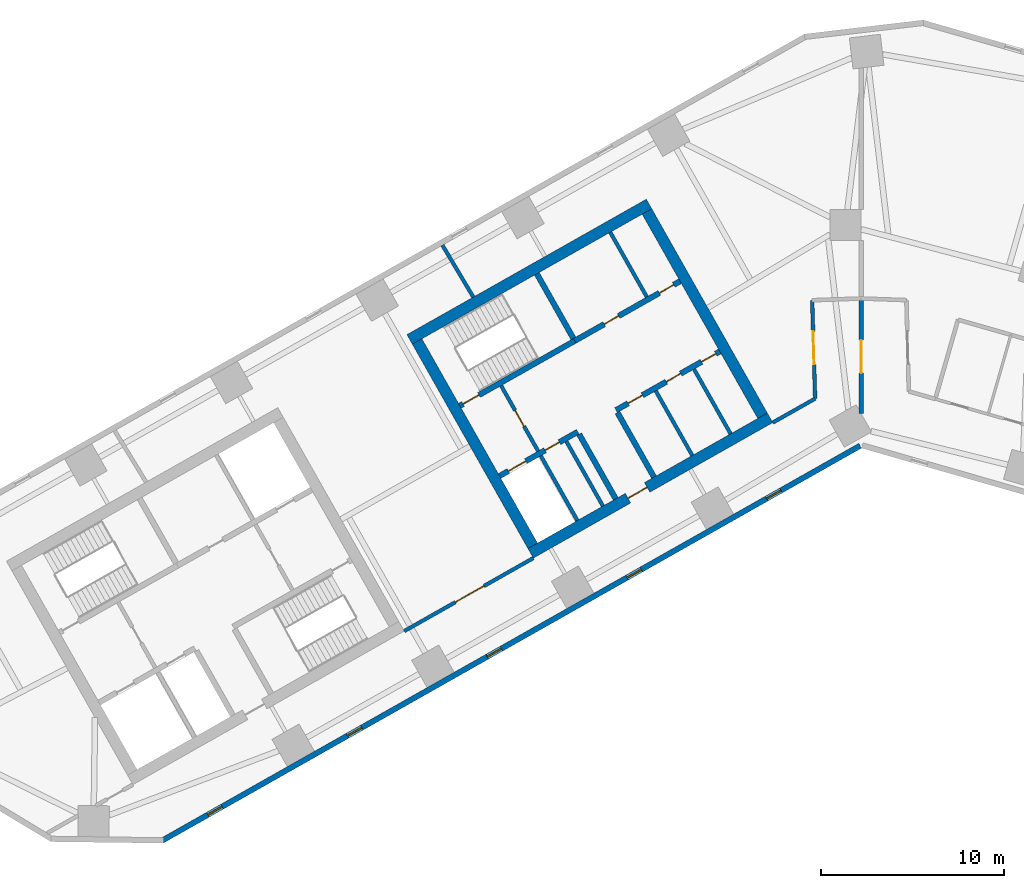
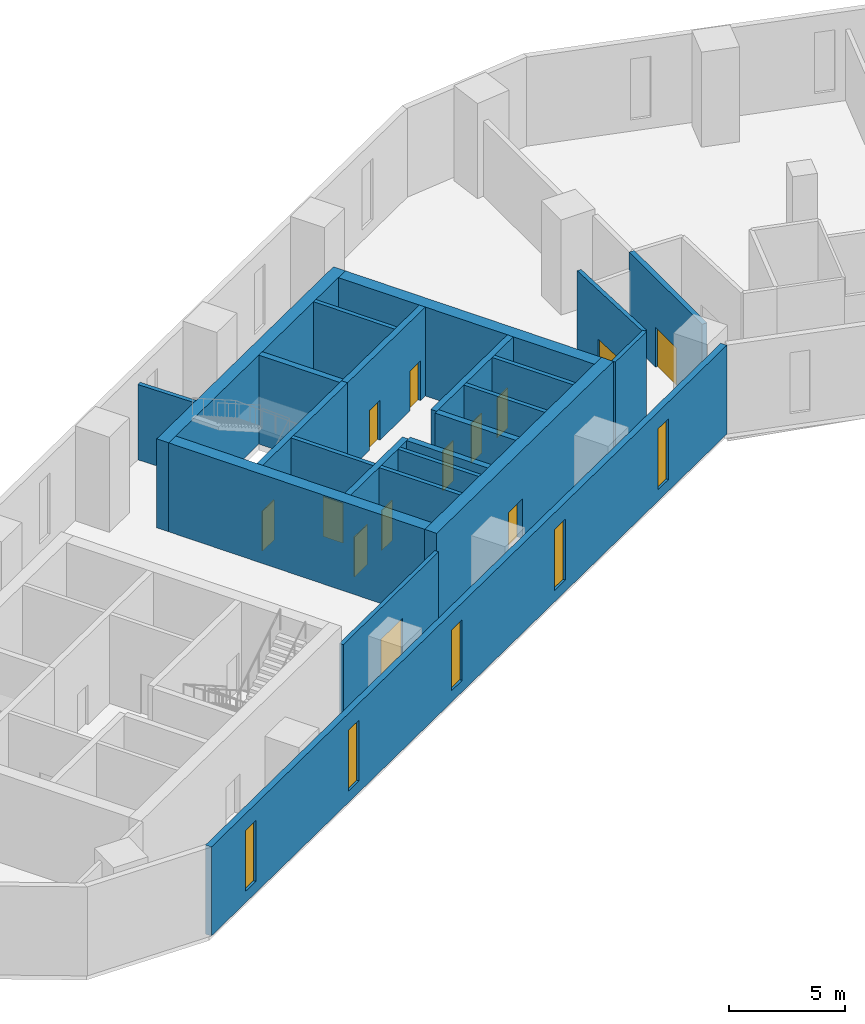
# One storey, part 4 of 10: 23 walls, 13 doors, 5 windows, 18 openings.
"""IFC4 building model written with IfcOpenShell, lengths in metres."""

import ifcopenshell
import ifcopenshell.guid

model = None  # the IFC model being written
_history = None  # IfcOwnerHistory: only IFC2X3 demands one
_inside = {}  # id of a spatial element -> (the spatial element, [elements in it])
_under = {}  # id of a project, library or spatial element -> (it, [spatial elements below it])
_declared = {}  # id of a project -> (the project, [libraries it declares])
_typed = {}  # id of a type object -> (the type object, [elements of that type])
_made_of = {}  # id of a material, layer set ... -> (it, [elements and type objects made of it])


def new_model(schema):
    """Start an empty IFC model of exactly this schema.

    Asked for "IFC4X3", IfcOpenShell would pick the latest addendum, in which some entities
    have other attributes; the version numbers below select the first issue.
    IFC2X3 requires an IfcOwnerHistory on every rooted entity: one is made here for all.
    """
    global model, _history
    if schema == "IFC4X3":
        model = ifcopenshell.file(schema_version=(4, 3, 0, 0))
    else:
        model = ifcopenshell.file(schema=schema)
    _inside.clear()
    _under.clear()
    _declared.clear()
    _typed.clear()
    _made_of.clear()
    _history = None
    if model.schema == "IFC2X3":
        org = make("IfcOrganization", Name="unknown")
        user = make(
            "IfcPersonAndOrganization",
            ThePerson=make("IfcPerson", FamilyName="unknown"),
            TheOrganization=org,
        )
        app = make(
            "IfcApplication",
            ApplicationDeveloper=org,
            Version="unknown",
            ApplicationFullName="unknown",
            ApplicationIdentifier="unknown",
        )
        _history = make(
            "IfcOwnerHistory",
            OwningUser=user,
            OwningApplication=app,
            ChangeAction="ADDED",
            CreationDate=0,
        )
    return model


def make(cls, **values):
    """One entity of the class cls with the attributes given. An attribute that is None is left unset."""
    return model.create_entity(
        cls, **{name: value for name, value in values.items() if value is not None}
    )


def rooted(cls, **values):
    """An entity with a GlobalId (a new one), such as an element, a storey or a relation."""
    return make(cls, GlobalId=ifcopenshell.guid.new(), OwnerHistory=_history, **values)


def si_unit(unit_type, name, prefix=None):
    """IfcSIUnit, for example si_unit("LENGTHUNIT", "METRE", prefix="MILLI")."""
    return make("IfcSIUnit", UnitType=unit_type, Prefix=prefix, Name=name)


def assignment(units):
    """IfcUnitAssignment: the units of a project."""
    return None if units is None else make("IfcUnitAssignment", Units=units)


def point(xyz):
    """IfcCartesianPoint."""
    return None if xyz is None else make("IfcCartesianPoint", Coordinates=xyz)


def direction(xyz):
    """IfcDirection."""
    return None if xyz is None else make("IfcDirection", DirectionRatios=xyz)


def frame(location, z_axis=None, x_axis=None):
    """IfcAxis2Placement3D, a coordinate frame: its origin and axes. An axis left out is left unset."""
    return make(
        "IfcAxis2Placement3D",
        Location=point(location),
        Axis=direction(z_axis),
        RefDirection=direction(x_axis),
    )


def frame_2d(location, x_axis=None):
    """IfcAxis2Placement2D, a coordinate frame in the plane: its origin and x axis."""
    return make(
        "IfcAxis2Placement2D", Location=point(location), RefDirection=direction(x_axis)
    )


def origin():
    """The frame at (0, 0, 0) with its axes left unset."""
    return frame((0.0, 0.0, 0.0))


def place(relative_to, where):
    """IfcLocalPlacement: puts the frame where relative to a parent placement (None: the world)."""
    return make(
        "IfcLocalPlacement", PlacementRelTo=relative_to, RelativePlacement=where
    )


def context(
    kind, dimensions, precision=None, world=None, true_north=None, identifier=None
):
    """IfcGeometricRepresentationContext, for example the 3D "Model" context."""
    return make(
        "IfcGeometricRepresentationContext",
        ContextIdentifier=identifier,
        ContextType=kind,
        CoordinateSpaceDimension=dimensions,
        Precision=precision,
        WorldCoordinateSystem=world,
        TrueNorth=true_north,
    )


def subcontext(parent, identifier, kind, view, scale=None):
    """IfcGeometricRepresentationSubContext, for example "Body" below "Model"."""
    return make(
        "IfcGeometricRepresentationSubContext",
        ContextIdentifier=identifier,
        ContextType=kind,
        ParentContext=parent,
        TargetScale=scale,
        TargetView=view,
    )


def project(units=None, contexts=None):
    """IfcProject with its units and contexts."""
    return rooted(
        "IfcProject",
        Name="project",
        RepresentationContexts=contexts,
        UnitsInContext=assignment(units),
    )


def spatial(cls, under=None, at=None, **own):
    """A site, building, storey or space (cls), placed at a placement, below another one or the project."""
    s = rooted(cls, ObjectPlacement=at, **own)
    if under is not None:
        _under.setdefault(under.id(), (under, []))[1].append(s)
    return s


def profile(cls, at=None, kind="AREA", **sizes):
    """A parametric profile (cls). Its sizes go by their IFC names, for example OverallWidth=200.0."""
    return make(cls, ProfileType=kind, Position=at, **sizes)


def rectangle(**sizes):
    """IfcRectangleProfileDef."""
    return profile("IfcRectangleProfileDef", **sizes)


def extrude(swept, where, along, depth):
    """IfcExtrudedAreaSolid: the profile swept, set in the frame where, extruded along a direction by depth."""
    return make(
        "IfcExtrudedAreaSolid",
        SweptArea=swept,
        Position=where,
        ExtrudedDirection=direction(along),
        Depth=depth,
    )


def shape(context_of_items, identifier, shape_type, items):
    """IfcShapeRepresentation: the items that make up one representation, for example the "Body"."""
    return make(
        "IfcShapeRepresentation",
        ContextOfItems=context_of_items,
        RepresentationIdentifier=identifier,
        RepresentationType=shape_type,
        Items=items,
    )


def material(Name=None, Category=None):
    """IfcMaterial."""
    return make("IfcMaterial", Name=Name, Category=Category)


def layer(
    of_material, thickness, ventilated=None, Name=None, Category=None, Priority=None
):
    """IfcMaterialLayer: one layer of a wall or slab, of a material (None: an air gap)."""
    return make(
        "IfcMaterialLayer",
        Material=of_material,
        LayerThickness=thickness,
        IsVentilated=ventilated,
        Name=Name,
        Category=Category,
        Priority=Priority,
    )


def layer_set(layers, Name=None):
    """IfcMaterialLayerSet."""
    return make("IfcMaterialLayerSet", MaterialLayers=layers, LayerSetName=Name)


def made_of(thing, what):
    """Note that an element or type object is made of a material, layer set ...; save() writes the relation."""
    if what is not None:
        _made_of.setdefault(what.id(), (what, []))[1].append(thing)
    return thing


def type_object(cls, material=None, **own):
    """A type object (cls), such as IfcWallType, which elements share."""
    return made_of(rooted(cls, **own), material)


def element(
    cls,
    number,
    at=None,
    inside=None,
    cuts=None,
    type_object=None,
    material=None,
    context=None,
    identifier="Body",
    shape_type=None,
    held_by="IfcProductDefinitionShape",
    body=None,
    shapes=None,
    **own,
):
    """One element of the class cls, such as IfcWall. Its Tag is "e" and its number.

    at: its placement. inside: the storey or other place that contains it. cuts: it is an
    opening in that element (IfcRelVoidsElement). A single representation is given by context,
    identifier, shape_type and body (its items); several are given by shapes. held_by: the class
    of the entity that holds the representations. save() writes the other relations.
    """
    e = rooted(cls, Tag="e%d" % number, ObjectPlacement=at, **own)
    if body is not None:
        shapes = [shape(context, identifier, shape_type, body)]
    if shapes is not None:
        e.Representation = make(held_by, Representations=shapes)
    if inside is not None:
        _inside.setdefault(inside.id(), (inside, []))[1].append(e)
    if cuts is not None:
        rooted(
            "IfcRelVoidsElement", RelatingBuildingElement=cuts, RelatedOpeningElement=e
        )
    if type_object is not None:
        _typed.setdefault(type_object.id(), (type_object, []))[1].append(e)
    return made_of(e, material)


def fill(opening, filler):
    """IfcRelFillsElement: the door or window that sits in an opening."""
    return rooted(
        "IfcRelFillsElement",
        RelatingOpeningElement=opening,
        RelatedBuildingElement=filler,
    )


def aggregate(whole, parts):
    """IfcRelAggregates: a whole, such as a stair, and the parts it consists of."""
    return rooted("IfcRelAggregates", RelatingObject=whole, RelatedObjects=parts)


def save(model, path):
    """Write the relations noted so far, then the file.

    IfcRelAggregates (storeys below a building ...), IfcRelContainedInSpatialStructure (elements
    in a storey), IfcRelDefinesByType, IfcRelAssociatesMaterial and IfcRelDeclares: one each for
    every whole, place, type object, material and project.
    """
    for whole, parts in _under.values():
        aggregate(whole, parts)
    for where, things in _inside.values():
        rooted(
            "IfcRelContainedInSpatialStructure",
            RelatedElements=things,
            RelatingStructure=where,
        )
    for kind, things in _typed.values():
        rooted("IfcRelDefinesByType", RelatedObjects=things, RelatingType=kind)
    for what, things in _made_of.values():
        rooted("IfcRelAssociatesMaterial", RelatedObjects=things, RelatingMaterial=what)
    for by, libraries in _declared.values():
        rooted("IfcRelDeclares", RelatingContext=by, RelatedDefinitions=libraries)
    model.write(path)


model = new_model("IFC4")

# Units and contexts
model_context = context("Model", 3, precision=1e-05, world=origin(), true_north=direction((0.0, 1.0)))
body_context = subcontext(model_context, "Body", "Model", "MODEL_VIEW")
ifc_project = project(units=[si_unit("LENGTHUNIT", "METRE"), si_unit("AREAUNIT", "SQUARE_METRE"), si_unit("VOLUMEUNIT", "CUBIC_METRE"), si_unit("PLANEANGLEUNIT", "RADIAN"), si_unit("MASSUNIT", "GRAM", prefix="KILO")], contexts=[model_context])

# Site, building, storey
site_placement = place(None, origin())
site = spatial("IfcSite", under=ifc_project, at=site_placement, CompositionType="ELEMENT")
building_placement = place(site_placement, origin())
building = spatial("IfcBuilding", under=site, at=building_placement, Name="Binnacle Exchange Tower", CompositionType="ELEMENT")
storey_placement = place(building_placement, frame((0.0, 0.0, 31.5)))
storey = spatial("IfcBuildingStorey", under=building, at=storey_placement, Name="L06", CompositionType="ELEMENT", Elevation=31.5)

# Walls
ifc_material_1 = material(Name="Gypsum partition fire rated")
ifc_layer_1 = layer(ifc_material_1, 0.199951171875)
ifc_layer_set_1 = layer_set([ifc_layer_1], Name="Core partition 200")
wall_type_1 = type_object("IfcWallType", Name="Core partition 200", PredefinedType="PARTITIONING", material=ifc_layer_set_1)
for number, where, z_axis, x_axis, name in (
    (1, (-11.201904296875, 50.96240234375, 0.0), (0.0, 0.0, 1.0), (0.49241474071, -0.870360685654, 0.0), "Core wall CRWC19"),
    (2, (-13.682861328125, 59.612060546875, 0.0), (0.0, 0.0, 1.0), (0.49241474071, -0.870360685654, 0.0), "Core wall CRWC20"),
):
    element("IfcWall", number, at=place(storey_placement, frame(where, z_axis=z_axis, x_axis=x_axis)), inside=storey, type_object=wall_type_1, Name=name, PredefinedType="PARTITIONING", context=body_context, shape_type="SweptSolid", body=[
        extrude(rectangle(XDim=4.05029296875, YDim=0.199951171875, at=frame_2d((2.025146484375, 0.0))), origin(), (0.0, 0.0, 1.0), 4.679931640625),
    ])
wall_1_placement = place(storey_placement, frame((-9.11279296875, 52.14404296875, 0.0), z_axis=(0.0, 0.0, 1.0), x_axis=(0.492394910396, -0.870371904542, 0.0)))
element("IfcWall", 3, at=wall_1_placement, inside=storey, type_object=wall_type_1, Name="Core wall CRWC22", PredefinedType="PARTITIONING", context=body_context, shape_type="SweptSolid", body=[
    extrude(rectangle(XDim=4.0498046875, YDim=0.199951171875, at=frame_2d((2.02490234375, 0.0))), origin(), (0.0, 0.0, 1.0), 4.679931640625),
])

# Wall, openings, doors
ifc_material_2 = material(Name="Concrete C70/85", Category="concrete")
ifc_layer_2 = layer(ifc_material_2, 0.300048828125)
ifc_layer_set_2 = layer_set([ifc_layer_2], Name="Core wall - front 300")
wall_type_2 = type_object("IfcWallType", Name="Core wall - front 300", PredefinedType="SOLIDWALL", material=ifc_layer_set_2)
wall_2_placement = place(storey_placement, frame((-19.718017578125, 46.31640625, 0.0), z_axis=(0.0, 0.0, 1.0), x_axis=(0.870353963862, 0.492426621528, 0.0)))
wall_2 = element("IfcWall", 4, at=wall_2_placement, inside=storey, type_object=wall_type_2, Name="Core wall CRWC2", PredefinedType="SOLIDWALL", context=body_context, shape_type="SweptSolid", body=[
    extrude(rectangle(XDim=4.89990234375, YDim=0.300048828125, at=frame_2d((2.449951171875, 0.0))), origin(), (0.0, 0.0, 1.0), 4.679931640625),
])
opening_1_placement = place(wall_2_placement, frame((0.550048828125, 0.0, 0.0)))
opening_1 = element("IfcOpeningElement", 5, at=opening_1_placement, cuts=wall_2, Name="Opening LD14", PredefinedType="OPENING", context=body_context, shape_type="SweptSolid", body=[
    extrude(rectangle(XDim=1.10009765625, YDim=2.10009765625, at=frame_2d((0.550048828125, 1.050048828125))), frame((0.0, 0.159912109375, 0.0), z_axis=(0.0, -1.0, 0.0), x_axis=(1.0, 0.0, 0.0)), (0.0, 0.0, 1.0), 0.320068359375),
])
opening_2_placement = place(wall_2_placement, frame((2.85009765625, 0.0, 0.0)))
opening_2 = element("IfcOpeningElement", 6, at=opening_2_placement, cuts=wall_2, Name="Opening DC14", PredefinedType="OPENING", context=body_context, shape_type="SweptSolid", body=[
    extrude(rectangle(XDim=0.89990234375, YDim=2.10009765625, at=frame_2d((0.449951171875, 1.050048828125))), frame((0.0, 0.159912109375, 0.0), z_axis=(0.0, -1.0, 0.0), x_axis=(1.0, 0.0, 0.0)), (0.0, 0.0, 1.0), 0.320068359375),
])
ifc_material_3 = material(Name="Steel door leaf", Category="steel")
door_type_1 = type_object("IfcDoorType", Name="Fire door - lift landing 1100", OperationType="NOTDEFINED", PredefinedType="DOOR", material=ifc_material_3)
door_1_placement = place(opening_1_placement, origin())
door_1 = element("IfcDoor", 7, at=door_1_placement, inside=storey, type_object=door_type_1, Name="Landing door LD14 L06", OperationType="DOUBLE_DOOR_SLIDING", OverallHeight=2.10009765625, OverallWidth=1.10009765625, PredefinedType="DOOR", context=body_context, shape_type="SweptSolid", body=[
    extrude(rectangle(XDim=1.10009765625, YDim=2.10009765625, at=frame_2d((0.550048828125, 1.050048828125))), frame((0.0, 0.02490234375, 0.0), z_axis=(0.0, -1.0, 0.0), x_axis=(1.0, 0.0, 0.0)), (0.0, 0.0, 1.0), 0.050048828125),
])
fill(opening_1, door_1)
door_type_2 = type_object("IfcDoorType", Name="Fire door 900", OperationType="NOTDEFINED", PredefinedType="DOOR", material=ifc_material_3)
door_2_placement = place(opening_2_placement, frame((0.89990234375, 0.0, 0.0), z_axis=(0.0, 0.0, 1.0), x_axis=(-1.0, 0.0, 0.0)))
door_2 = element("IfcDoor", 8, at=door_2_placement, inside=storey, type_object=door_type_2, Name="Core room door UPS CUPBOARD", OperationType="SINGLE_SWING_LEFT", OverallHeight=2.10009765625, OverallWidth=0.89990234375, PredefinedType="DOOR", context=body_context, shape_type="SweptSolid", body=[
    extrude(rectangle(XDim=0.89990234375, YDim=2.10009765625, at=frame_2d((0.449951171875, 1.050048828125))), frame((0.0, 0.02490234375, 0.0), z_axis=(0.0, -1.0, 0.0), x_axis=(1.0, 0.0, 0.0)), (0.0, 0.0, 1.0), 0.050048828125),
])
fill(opening_2, door_2)

wall_3_placement = place(storey_placement, frame((-13.364501953125, 49.910888671875, 0.0), z_axis=(0.0, 0.0, 1.0), x_axis=(0.870340995471, 0.49244954219, 0.0)))
wall_3 = element("IfcWall", 9, at=wall_3_placement, inside=storey, type_object=wall_type_2, Name="Core wall CRWC3", PredefinedType="SOLIDWALL", context=body_context, shape_type="SweptSolid", body=[
    extrude(rectangle(XDim=6.5, YDim=0.300048828125, at=frame_2d((3.25, 0.0))), origin(), (0.0, 0.0, 1.0), 4.679931640625),
])
opening_3_placement = place(wall_3_placement, frame((0.75, 0.0, 0.0)))
opening_3 = element("IfcOpeningElement", 10, at=opening_3_placement, cuts=wall_3, Name="Opening DC18", PredefinedType="OPENING", context=body_context, shape_type="SweptSolid", body=[
    extrude(rectangle(XDim=0.89990234375, YDim=2.10009765625, at=frame_2d((0.449951171875, 1.050048828125))), frame((0.0, 0.159912109375, 0.0), z_axis=(0.0, -1.0, 0.0), x_axis=(1.0, 0.0, 0.0)), (0.0, 0.0, 1.0), 0.320068359375),
])
opening_4_placement = place(wall_3_placement, frame((3.14990234375, 0.0, 0.0)))
opening_4 = element("IfcOpeningElement", 11, at=opening_4_placement, cuts=wall_3, Name="Opening DC19", PredefinedType="OPENING", context=body_context, shape_type="SweptSolid", body=[
    extrude(rectangle(XDim=0.89990234375, YDim=2.10009765625, at=frame_2d((0.449951171875, 1.050048828125))), frame((0.0, 0.159912109375, 0.0), z_axis=(0.0, -1.0, 0.0), x_axis=(1.0, 0.0, 0.0)), (0.0, 0.0, 1.0), 0.320068359375),
])
opening_5_placement = place(wall_3_placement, frame((5.35009765625, 0.0, 0.0)))
opening_5 = element("IfcOpeningElement", 12, at=opening_5_placement, cuts=wall_3, Name="Opening DC20", PredefinedType="OPENING", context=body_context, shape_type="SweptSolid", body=[
    extrude(rectangle(XDim=0.89990234375, YDim=2.10009765625, at=frame_2d((0.449951171875, 1.050048828125))), frame((0.0, 0.159912109375, 0.0), z_axis=(0.0, -1.0, 0.0), x_axis=(1.0, 0.0, 0.0)), (0.0, 0.0, 1.0), 0.320068359375),
])
door_3_placement = place(opening_3_placement, frame((0.89990234375, 0.0, 0.0), z_axis=(0.0, 0.0, 1.0), x_axis=(-1.0, 0.0, 0.0)))
door_3 = element("IfcDoor", 13, at=door_3_placement, inside=storey, type_object=door_type_2, Name="Core room door FIBRE ENTRY ROOM", OperationType="SINGLE_SWING_RIGHT", OverallHeight=2.10009765625, OverallWidth=0.89990234375, PredefinedType="DOOR", context=body_context, shape_type="SweptSolid", body=[
    extrude(rectangle(XDim=0.89990234375, YDim=2.10009765625, at=frame_2d((0.449951171875, 1.050048828125))), frame((0.0, 0.02490234375, 0.0), z_axis=(0.0, -1.0, 0.0), x_axis=(1.0, 0.0, 0.0)), (0.0, 0.0, 1.0), 0.050048828125),
])
fill(opening_3, door_3)
door_4_placement = place(opening_4_placement, frame((0.89990234375, 0.0, 0.0), z_axis=(0.0, 0.0, 1.0), x_axis=(-1.0, 0.0, 0.0)))
door_4 = element("IfcDoor", 14, at=door_4_placement, inside=storey, type_object=door_type_2, Name="Core room door ELECTRICAL ROOM", OperationType="SINGLE_SWING_LEFT", OverallHeight=2.10009765625, OverallWidth=0.89990234375, PredefinedType="DOOR", context=body_context, shape_type="SweptSolid", body=[
    extrude(rectangle(XDim=0.89990234375, YDim=2.10009765625, at=frame_2d((0.449951171875, 1.050048828125))), frame((0.0, 0.02490234375, 0.0), z_axis=(0.0, -1.0, 0.0), x_axis=(1.0, 0.0, 0.0)), (0.0, 0.0, 1.0), 0.050048828125),
])
fill(opening_4, door_4)
door_5_placement = place(opening_5_placement, frame((0.89990234375, 0.0, 0.0), z_axis=(0.0, 0.0, 1.0), x_axis=(-1.0, 0.0, 0.0)))
door_5 = element("IfcDoor", 15, at=door_5_placement, inside=storey, type_object=door_type_2, Name="Core room door COMMS RISER ROOM", OperationType="SINGLE_SWING_LEFT", OverallHeight=2.10009765625, OverallWidth=0.89990234375, PredefinedType="DOOR", context=body_context, shape_type="SweptSolid", body=[
    extrude(rectangle(XDim=0.89990234375, YDim=2.10009765625, at=frame_2d((0.449951171875, 1.050048828125))), frame((0.0, 0.02490234375, 0.0), z_axis=(0.0, -1.0, 0.0), x_axis=(1.0, 0.0, 0.0)), (0.0, 0.0, 1.0), 0.050048828125),
])
fill(opening_5, door_5)

wall_4_placement = place(storey_placement, frame((-15.6181640625, 53.69140625, 0.0), z_axis=(0.0, 0.0, 1.0), x_axis=(0.870356769198, 0.492421663121, 0.0)))
wall_4 = element("IfcWall", 16, at=wall_4_placement, inside=storey, type_object=wall_type_2, Name="Core wall CRWC5", PredefinedType="SOLIDWALL", context=body_context, shape_type="SweptSolid", body=[
    extrude(rectangle(XDim=6.60009765625, YDim=0.300048828125, at=frame_2d((3.300048828125, 0.0))), origin(), (0.0, 0.0, 1.0), 4.679931640625),
])
opening_6_placement = place(wall_4_placement, frame((1.85009765625, 0.0, 0.0)))
opening_6 = element("IfcOpeningElement", 17, at=opening_6_placement, cuts=wall_4, Name="Opening DC10", PredefinedType="OPENING", context=body_context, shape_type="SweptSolid", body=[
    extrude(rectangle(XDim=0.89990234375, YDim=2.10009765625, at=frame_2d((0.449951171875, 1.050048828125))), frame((0.0, 0.159912109375, 0.0), z_axis=(0.0, -1.0, 0.0), x_axis=(1.0, 0.0, 0.0)), (0.0, 0.0, 1.0), 0.320068359375),
])
opening_7_placement = place(wall_4_placement, frame((5.300048828125, 0.0, 0.0)))
opening_7 = element("IfcOpeningElement", 18, at=opening_7_placement, cuts=wall_4, Name="Opening DC11", PredefinedType="OPENING", context=body_context, shape_type="SweptSolid", body=[
    extrude(rectangle(XDim=0.89990234375, YDim=2.10009765625, at=frame_2d((0.449951171875, 1.050048828125))), frame((0.0, 0.159912109375, 0.0), z_axis=(0.0, -1.0, 0.0), x_axis=(1.0, 0.0, 0.0)), (0.0, 0.0, 1.0), 0.320068359375),
])
door_6_placement = place(opening_6_placement, origin())
door_6 = element("IfcDoor", 19, at=door_6_placement, inside=storey, type_object=door_type_2, Name="Core room door EQUIPMENT STORE", OperationType="SINGLE_SWING_LEFT", OverallHeight=2.10009765625, OverallWidth=0.89990234375, PredefinedType="DOOR", context=body_context, shape_type="SweptSolid", body=[
    extrude(rectangle(XDim=0.89990234375, YDim=2.10009765625, at=frame_2d((0.449951171875, 1.050048828125))), frame((0.0, 0.02490234375, 0.0), z_axis=(0.0, -1.0, 0.0), x_axis=(1.0, 0.0, 0.0)), (0.0, 0.0, 1.0), 0.050048828125),
])
fill(opening_6, door_6)
door_7_placement = place(opening_7_placement, origin())
door_7 = element("IfcDoor", 20, at=door_7_placement, inside=storey, type_object=door_type_2, Name="Core room door UPS CUPBOARD", OperationType="SINGLE_SWING_RIGHT", OverallHeight=2.10009765625, OverallWidth=0.89990234375, PredefinedType="DOOR", context=body_context, shape_type="SweptSolid", body=[
    extrude(rectangle(XDim=0.89990234375, YDim=2.10009765625, at=frame_2d((0.449951171875, 1.050048828125))), frame((0.0, 0.02490234375, 0.0), z_axis=(0.0, -1.0, 0.0), x_axis=(1.0, 0.0, 0.0)), (0.0, 0.0, 1.0), 0.050048828125),
])
fill(opening_7, door_7)

# Walls
for number, where, z_axis, x_axis, name in (
    (21, (-15.37939453125, 48.5986328125, 0.0), (0.0, 0.0, 1.0), (0.492394910396, -0.870371904542, 0.0), "Core wall CRWC13"),
    (22, (-13.29052734375, 49.780517578125, 0.0), (0.0, 0.0, 1.0), (0.492394910396, -0.870371904542, 0.0), "Core wall CRWC15"),
):
    element("IfcWall", number, at=place(storey_placement, frame(where, z_axis=z_axis, x_axis=x_axis)), inside=storey, type_object=wall_type_2, Name=name, PredefinedType="SOLIDWALL", context=body_context, shape_type="SweptSolid", body=[
        extrude(rectangle(XDim=4.0498046875, YDim=0.300048828125, at=frame_2d((2.02490234375, 0.0))), origin(), (0.0, 0.0, 1.0), 4.679931640625),
    ])

# Wall, opening, door
ifc_layer_3 = layer(ifc_material_2, 0.60009765625)
ifc_layer_set_3 = layer_set([ifc_layer_3], Name="Core wall - outer 600")
wall_type_3 = type_object("IfcWallType", Name="Core wall - outer 600", PredefinedType="SOLIDWALL", material=ifc_layer_set_3)
wall_5_placement = place(storey_placement, frame((-18.0244140625, 42.104248046875, 0.0), z_axis=(0.0, 0.0, 1.0), x_axis=(0.870360574057, 0.492414937962, 0.0)))
wall_5 = element("IfcWall", 23, at=wall_5_placement, inside=storey, type_object=wall_type_3, Name="Core wall CRWC1", PredefinedType="SOLIDWALL", context=body_context, shape_type="SweptSolid", body=[
    extrude(rectangle(XDim=15.0, YDim=0.60009765625, at=frame_2d((7.5, 0.0))), origin(), (0.0, 0.0, 1.0), 4.679931640625),
])
opening_8_placement = place(wall_5_placement, frame((6.10009765625, 0.0, 0.0)))
opening_8 = element("IfcOpeningElement", 24, at=opening_8_placement, cuts=wall_5, Name="Opening DC7", PredefinedType="OPENING", context=body_context, shape_type="SweptSolid", body=[
    extrude(rectangle(XDim=1.199951171875, YDim=2.10009765625, at=frame_2d((0.60009765625, 1.050048828125))), frame((0.0, 0.31005859375, 0.0), z_axis=(0.0, -1.0, 0.0), x_axis=(1.0, 0.0, 0.0)), (0.0, 0.0, 1.0), 0.6201171875),
])
door_type_3 = type_object("IfcDoorType", Name="Fire door 1200", OperationType="NOTDEFINED", PredefinedType="DOOR", material=ifc_material_3)
door_8_placement = place(opening_8_placement, frame((1.199951171875, 0.0, 0.0), z_axis=(0.0, 0.0, 1.0), x_axis=(-1.0, 0.0, 0.0)))
door_8 = element("IfcDoor", 25, at=door_8_placement, inside=storey, type_object=door_type_3, Name="Lift lobby entrance door core C", OperationType="SINGLE_SWING_RIGHT", OverallHeight=2.10009765625, OverallWidth=1.199951171875, PredefinedType="DOOR", context=body_context, shape_type="SweptSolid", body=[
    extrude(rectangle(XDim=1.199951171875, YDim=2.10009765625, at=frame_2d((0.60009765625, 1.050048828125))), frame((0.0, 0.02490234375, 0.0), z_axis=(0.0, -1.0, 0.0), x_axis=(1.0, 0.0, 0.0)), (0.0, 0.0, 1.0), 0.050048828125),
])
fill(opening_8, door_8)

# Walls
wall_6_placement = place(storey_placement, frame((-24.622802734375, 53.76708984375, 0.0), z_axis=(0.0, 0.0, 1.0), x_axis=(0.870356627484, 0.492421913601, 0.0)))
element("IfcWall", 26, at=wall_6_placement, inside=storey, type_object=wall_type_3, Name="Core wall CRWC6", PredefinedType="SOLIDWALL", context=body_context, shape_type="SweptSolid", body=[
    extrude(rectangle(XDim=14.999755859375, YDim=0.60009765625, at=frame_2d((7.5, 0.0))), origin(), (0.0, 0.0, 1.0), 4.679931640625),
])
wall_7_placement = place(storey_placement, frame((-24.214111328125, 53.653564453125, 0.0), z_axis=(0.0, 0.0, 1.0), x_axis=(0.492441221355, -0.870345703448, 0.0)))
element("IfcWall", 27, at=wall_7_placement, inside=storey, type_object=wall_type_3, Name="Core wall CRWC7", PredefinedType="SOLIDWALL", context=body_context, shape_type="SweptSolid", body=[
    extrude(rectangle(XDim=12.800048828125, YDim=0.60009765625, at=frame_2d((6.39990234375, 0.0))), origin(), (0.0, 0.0, 1.0), 4.679931640625),
])
wall_8_placement = place(storey_placement, frame((-11.680908203125, 60.744384765625, 0.0), z_axis=(0.0, 0.0, 1.0), x_axis=(0.492426772896, -0.870353878221, 0.0)))
element("IfcWall", 28, at=wall_8_placement, inside=storey, type_object=wall_type_3, Name="Core wall CRWC24", PredefinedType="SOLIDWALL", context=body_context, shape_type="SweptSolid", body=[
    extrude(rectangle(XDim=12.7998046875, YDim=0.60009765625, at=frame_2d((6.39990234375, 0.0))), origin(), (0.0, 0.0, 1.0), 4.679931640625),
])

# Wall, opening, door
ifc_layer_4 = layer(ifc_material_2, 0.300048828125)
ifc_layer_set_4 = layer_set([ifc_layer_4], Name="Core wall - stair 300")
wall_type_4 = type_object("IfcWallType", Name="Core wall - stair 300", PredefinedType="SOLIDWALL", material=ifc_layer_set_4)
wall_9_placement = place(storey_placement, frame((-21.884765625, 50.14599609375, 0.0), z_axis=(0.0, 0.0, 1.0), x_axis=(0.870359411463, 0.492416992881, 0.0)))
wall_9 = element("IfcWall", 29, at=wall_9_placement, inside=storey, type_object=wall_type_4, Name="Core wall CRWC4", PredefinedType="SOLIDWALL", context=body_context, shape_type="SweptSolid", body=[
    extrude(rectangle(XDim=7.199951171875, YDim=0.300048828125, at=frame_2d((3.60009765625, 0.0))), origin(), (0.0, 0.0, 1.0), 4.679931640625),
])
opening_9_placement = place(wall_9_placement, frame((0.199951171875, 0.0, 0.0)))
opening_9 = element("IfcOpeningElement", 30, at=opening_9_placement, cuts=wall_9, Name="Opening DC1", PredefinedType="OPENING", context=body_context, shape_type="SweptSolid", body=[
    extrude(rectangle(XDim=1.0, YDim=2.10009765625, at=frame_2d((0.5, 1.050048828125))), frame((0.0, 0.159912109375, 0.0), z_axis=(0.0, -1.0, 0.0), x_axis=(1.0, 0.0, 0.0)), (0.0, 0.0, 1.0), 0.320068359375),
])
door_type_4 = type_object("IfcDoorType", Name="Fire door 1000", OperationType="NOTDEFINED", PredefinedType="DOOR", material=ifc_material_3)
door_9_placement = place(opening_9_placement, origin())
door_9 = element("IfcDoor", 31, at=door_9_placement, inside=storey, type_object=door_type_4, Name="Stair door ST-C1", OperationType="SINGLE_SWING_LEFT", OverallHeight=2.10009765625, OverallWidth=1.0, PredefinedType="DOOR", context=body_context, shape_type="SweptSolid", body=[
    extrude(rectangle(XDim=1.0, YDim=2.10009765625, at=frame_2d((0.5, 1.050048828125))), frame((0.0, 0.02490234375, 0.0), z_axis=(0.0, -1.0, 0.0), x_axis=(1.0, 0.0, 0.0)), (0.0, 0.0, 1.0), 0.050048828125),
])
fill(opening_9, door_9)

# Wall
wall_10_placement = place(storey_placement, frame((-17.686279296875, 57.3466796875, 0.0), z_axis=(0.0, 0.0, 1.0), x_axis=(0.492420746998, -0.870357287513, 0.0)))
element("IfcWall", 32, at=wall_10_placement, inside=storey, type_object=wall_type_4, Name="Core wall CRWC14", PredefinedType="SOLIDWALL", context=body_context, shape_type="SweptSolid", body=[
    extrude(rectangle(XDim=4.049560546875, YDim=0.300048828125, at=frame_2d((2.02490234375, 0.0))), origin(), (0.0, 0.0, 1.0), 4.679931640625),
])

# Wall, openings, windows
ifc_material_4 = material(Name="Bronze aluminium cladding", Category="aluminium")
ifc_layer_5 = layer(ifc_material_4, 0.300048828125)
ifc_layer_set_5 = layer_set([ifc_layer_5], Name="External wall - spandrel 300")
wall_type_5 = type_object("IfcWallType", Name="External wall - spandrel 300", PredefinedType="STANDARD", material=ifc_layer_set_5)
wall_11_placement = place(storey_placement, frame((-0.0546875, 47.968994140625, 0.0), z_axis=(0.0, 0.0, 1.0), x_axis=(-0.870355730478, -0.492423499058, 0.0)))
wall_11 = element("IfcWall", 33, at=wall_11_placement, inside=storey, type_object=wall_type_5, Name="External wall EW-F07 L06", PredefinedType="STANDARD", context=body_context, shape_type="SweptSolid", body=[
    extrude(rectangle(XDim=43.750244140625, YDim=0.300048828125, at=frame_2d((21.875, 0.0))), origin(), (0.0, 0.0, 1.0), 4.679931640625),
])
opening_10_placement = place(wall_11_placement, frame((39.976806640625, 0.0, 0.60009765625)))
opening_10 = element("IfcOpeningElement", 34, at=opening_10_placement, cuts=wall_11, Name="Opening WS1", PredefinedType="OPENING", context=body_context, shape_type="SweptSolid", body=[
    extrude(rectangle(XDim=0.89990234375, YDim=3.199951171875, at=frame_2d((0.449951171875, 1.60009765625))), frame((0.0, 0.159912109375, 0.0), z_axis=(0.0, -1.0, 0.0), x_axis=(1.0, 0.0, 0.0)), (0.0, 0.0, 1.0), 0.320068359375),
])
opening_11_placement = place(wall_11_placement, frame((31.222412109375, 0.0, 0.60009765625)))
opening_11 = element("IfcOpeningElement", 35, at=opening_11_placement, cuts=wall_11, Name="Opening WS1", PredefinedType="OPENING", context=body_context, shape_type="SweptSolid", body=[
    extrude(rectangle(XDim=0.89990234375, YDim=3.199951171875, at=frame_2d((0.449951171875, 1.60009765625))), frame((0.0, 0.159912109375, 0.0), z_axis=(0.0, -1.0, 0.0), x_axis=(1.0, 0.0, 0.0)), (0.0, 0.0, 1.0), 0.320068359375),
])
opening_12_placement = place(wall_11_placement, frame((22.4677734375, 0.0, 0.60009765625)))
opening_12 = element("IfcOpeningElement", 36, at=opening_12_placement, cuts=wall_11, Name="Opening WS1", PredefinedType="OPENING", context=body_context, shape_type="SweptSolid", body=[
    extrude(rectangle(XDim=0.89990234375, YDim=3.199951171875, at=frame_2d((0.449951171875, 1.60009765625))), frame((0.0, 0.159912109375, 0.0), z_axis=(0.0, -1.0, 0.0), x_axis=(1.0, 0.0, 0.0)), (0.0, 0.0, 1.0), 0.320068359375),
])
opening_13_placement = place(wall_11_placement, frame((13.713134765625, 0.0, 0.60009765625)))
opening_13 = element("IfcOpeningElement", 37, at=opening_13_placement, cuts=wall_11, Name="Opening WS1", PredefinedType="OPENING", context=body_context, shape_type="SweptSolid", body=[
    extrude(rectangle(XDim=0.89990234375, YDim=3.199951171875, at=frame_2d((0.449951171875, 1.60009765625))), frame((0.0, 0.159912109375, 0.0), z_axis=(0.0, -1.0, 0.0), x_axis=(1.0, 0.0, 0.0)), (0.0, 0.0, 1.0), 0.320068359375),
])
opening_14_placement = place(wall_11_placement, frame((4.958740234375, 0.0, 0.60009765625)))
opening_14 = element("IfcOpeningElement", 38, at=opening_14_placement, cuts=wall_11, Name="Opening WS1", PredefinedType="OPENING", context=body_context, shape_type="SweptSolid", body=[
    extrude(rectangle(XDim=0.89990234375, YDim=3.199951171875, at=frame_2d((0.449951171875, 1.60009765625))), frame((0.0, 0.159912109375, 0.0), z_axis=(0.0, -1.0, 0.0), x_axis=(1.0, 0.0, 0.0)), (0.0, 0.0, 1.0), 0.320068359375),
])
ifc_material_5 = material(Name="Bronze anodised aluminium frame", Category="aluminium")
window_type = type_object("IfcWindowType", Name="WS1 WINDOW 900x3200", PartitioningType="SINGLE_PANEL", PredefinedType="WINDOW", material=ifc_material_5)
window_1_placement = place(opening_10_placement, origin())
window_1 = element("IfcWindow", 39, at=window_1_placement, inside=storey, type_object=window_type, Name="Window WS1 L06", OverallHeight=3.199951171875, OverallWidth=0.89990234375, PartitioningType="SINGLE_PANEL", PredefinedType="WINDOW", context=body_context, shape_type="SweptSolid", body=[
    extrude(rectangle(XDim=0.89990234375, YDim=3.199951171875, at=frame_2d((0.449951171875, 1.60009765625))), frame((0.0, 0.030029296875, 0.0), z_axis=(0.0, -1.0, 0.0), x_axis=(1.0, 0.0, 0.0)), (0.0, 0.0, 1.0), 0.06005859375),
])
fill(opening_10, window_1)
window_2_placement = place(opening_11_placement, origin())
window_2 = element("IfcWindow", 40, at=window_2_placement, inside=storey, type_object=window_type, Name="Window WS1 L06", OverallHeight=3.199951171875, OverallWidth=0.89990234375, PartitioningType="SINGLE_PANEL", PredefinedType="WINDOW", context=body_context, shape_type="SweptSolid", body=[
    extrude(rectangle(XDim=0.89990234375, YDim=3.199951171875, at=frame_2d((0.449951171875, 1.60009765625))), frame((0.0, 0.030029296875, 0.0), z_axis=(0.0, -1.0, 0.0), x_axis=(1.0, 0.0, 0.0)), (0.0, 0.0, 1.0), 0.06005859375),
])
fill(opening_11, window_2)
window_3_placement = place(opening_12_placement, origin())
window_3 = element("IfcWindow", 41, at=window_3_placement, inside=storey, type_object=window_type, Name="Window WS1 L06", OverallHeight=3.199951171875, OverallWidth=0.89990234375, PartitioningType="SINGLE_PANEL", PredefinedType="WINDOW", context=body_context, shape_type="SweptSolid", body=[
    extrude(rectangle(XDim=0.89990234375, YDim=3.199951171875, at=frame_2d((0.449951171875, 1.60009765625))), frame((0.0, 0.030029296875, 0.0), z_axis=(0.0, -1.0, 0.0), x_axis=(1.0, 0.0, 0.0)), (0.0, 0.0, 1.0), 0.06005859375),
])
fill(opening_12, window_3)
window_4_placement = place(opening_13_placement, origin())
window_4 = element("IfcWindow", 42, at=window_4_placement, inside=storey, type_object=window_type, Name="Window WS1 L06", OverallHeight=3.199951171875, OverallWidth=0.89990234375, PartitioningType="SINGLE_PANEL", PredefinedType="WINDOW", context=body_context, shape_type="SweptSolid", body=[
    extrude(rectangle(XDim=0.89990234375, YDim=3.199951171875, at=frame_2d((0.449951171875, 1.60009765625))), frame((0.0, 0.030029296875, 0.0), z_axis=(0.0, -1.0, 0.0), x_axis=(1.0, 0.0, 0.0)), (0.0, 0.0, 1.0), 0.06005859375),
])
fill(opening_13, window_4)
window_5_placement = place(opening_14_placement, origin())
window_5 = element("IfcWindow", 43, at=window_5_placement, inside=storey, type_object=window_type, Name="Window WS1 L06", OverallHeight=3.199951171875, OverallWidth=0.89990234375, PartitioningType="SINGLE_PANEL", PredefinedType="WINDOW", context=body_context, shape_type="SweptSolid", body=[
    extrude(rectangle(XDim=0.89990234375, YDim=3.199951171875, at=frame_2d((0.449951171875, 1.60009765625))), frame((0.0, 0.030029296875, 0.0), z_axis=(0.0, -1.0, 0.0), x_axis=(1.0, 0.0, 0.0)), (0.0, 0.0, 1.0), 0.06005859375),
])
fill(opening_14, window_5)

# Wall, opening, door
ifc_material_6 = material(Name="Masonry block wall", Category="masonry")
ifc_layer_6 = layer(ifc_material_6, 0.199951171875)
ifc_layer_set_6 = layer_set([ifc_layer_6], Name="Fire wall - block 200")
wall_type_6 = type_object("IfcWallType", Name="Fire wall - block 200", PredefinedType="PARTITIONING", material=ifc_layer_set_6)
wall_12_placement = place(storey_placement, frame((-24.9189453125, 37.85888671875, 0.0), z_axis=(0.0, 0.0, 1.0), x_axis=(0.870357635969, 0.492420131098, 0.0)))
wall_12 = element("IfcWall", 44, at=wall_12_placement, inside=storey, type_object=wall_type_6, Name="Partition W04", PredefinedType="PARTITIONING", context=body_context, shape_type="SweptSolid", body=[
    extrude(rectangle(XDim=8.0908203125, YDim=0.199951171875, at=frame_2d((4.04541015625, 0.0))), origin(), (0.0, 0.0, 1.0), 3.748046875),
])
opening_15_placement = place(wall_12_placement, frame((3.199951171875, 0.0, 0.0)))
opening_15 = element("IfcOpeningElement", 45, at=opening_15_placement, cuts=wall_12, Name="Opening DL05-02", PredefinedType="OPENING", context=body_context, shape_type="SweptSolid", body=[
    extrude(rectangle(XDim=1.800048828125, YDim=2.10009765625, at=frame_2d((0.89990234375, 1.050048828125))), frame((0.0, 0.10986328125, 0.0), z_axis=(0.0, -1.0, 0.0), x_axis=(1.0, 0.0, 0.0)), (0.0, 0.0, 1.0), 0.219970703125),
])
door_type_5 = type_object("IfcDoorType", Name="Fire door 1800", OperationType="NOTDEFINED", PredefinedType="DOOR", material=ifc_material_3)
door_10_placement = place(opening_15_placement, origin())
door_10 = element("IfcDoor", 46, at=door_10_placement, inside=storey, type_object=door_type_5, Name="Door DL05-02", OperationType="DOUBLE_DOOR_SINGLE_SWING", OverallHeight=2.10009765625, OverallWidth=1.800048828125, PredefinedType="DOOR", context=body_context, shape_type="SweptSolid", body=[
    extrude(rectangle(XDim=1.800048828125, YDim=2.10009765625, at=frame_2d((0.89990234375, 1.050048828125))), frame((0.0, 0.02490234375, 0.0), z_axis=(0.0, -1.0, 0.0), x_axis=(1.0, 0.0, 0.0)), (0.0, 0.0, 1.0), 0.050048828125),
])
fill(opening_15, door_10)

# Walls
wall_13_placement = place(storey_placement, frame((-22.8349609375, 58.907958984375, 0.0), z_axis=(0.0, 0.0, 1.0), x_axis=(0.511113859879, -0.859513014584, 0.0)))
element("IfcWall", 47, at=wall_13_placement, inside=storey, type_object=wall_type_6, Name="Partition W05", PredefinedType="PARTITIONING", context=body_context, shape_type="SweptSolid", body=[
    extrude(rectangle(XDim=3.294921875, YDim=0.199951171875, at=frame_2d((1.6474609375, 0.0))), origin(), (0.0, 0.0, 1.0), 3.9599609375),
])
wall_14_placement = place(storey_placement, frame((-4.821044921875, 49.22998046875, 0.0), z_axis=(0.0, 0.0, 1.0), x_axis=(0.870371217631, 0.492396124598, 0.0)))
element("IfcWall", 48, at=wall_14_placement, inside=storey, type_object=wall_type_6, Name="Partition W06", PredefinedType="PARTITIONING", context=body_context, shape_type="SweptSolid", body=[
    extrude(rectangle(XDim=2.65869140625, YDim=0.199951171875, at=frame_2d((1.329345703125, 0.0))), origin(), (0.0, 0.0, 1.0), 4.679931640625),
])

# Wall, opening, door
wall_15_placement = place(storey_placement, frame((-2.669921875, 55.904052734375, 0.0), z_axis=(0.0, 0.0, 1.0), x_axis=(0.030338701418, -0.999539675649, 0.0)))
wall_15 = element("IfcWall", 49, at=wall_15_placement, inside=storey, type_object=wall_type_6, Name="Partition W07", PredefinedType="PARTITIONING", context=body_context, shape_type="SweptSolid", body=[
    extrude(rectangle(XDim=5.367431640625, YDim=0.199951171875, at=frame_2d((2.68359375, 0.0))), origin(), (0.0, 0.0, 1.0), 4.679931640625),
])
opening_16_placement = place(wall_15_placement, frame((1.699951171875, 0.0, 0.0)))
opening_16 = element("IfcOpeningElement", 50, at=opening_16_placement, cuts=wall_15, Name="Opening DL05-03", PredefinedType="OPENING", context=body_context, shape_type="SweptSolid", body=[
    extrude(rectangle(XDim=1.800048828125, YDim=2.10009765625, at=frame_2d((0.89990234375, 1.050048828125))), frame((0.0, 0.10986328125, 0.0), z_axis=(0.0, -1.0, 0.0), x_axis=(1.0, 0.0, 0.0)), (0.0, 0.0, 1.0), 0.219970703125),
])
door_11_placement = place(opening_16_placement, frame((1.800048828125, 0.0, 0.0), z_axis=(0.0, 0.0, 1.0), x_axis=(-1.0, 0.0, 0.0)))
door_11 = element("IfcDoor", 51, at=door_11_placement, inside=storey, type_object=door_type_5, Name="Door DL05-03", OperationType="DOUBLE_DOOR_SINGLE_SWING", OverallHeight=2.10009765625, OverallWidth=1.800048828125, PredefinedType="DOOR", context=body_context, shape_type="SweptSolid", body=[
    extrude(rectangle(XDim=1.800048828125, YDim=2.10009765625, at=frame_2d((0.89990234375, 1.050048828125))), frame((0.0, 0.02490234375, 0.0), z_axis=(0.0, -1.0, 0.0), x_axis=(1.0, 0.0, 0.0)), (0.0, 0.0, 1.0), 0.050048828125),
])
fill(opening_16, door_11)

ifc_material_7 = material(Name="Concrete fire wall C30/37", Category="concrete")
ifc_layer_7 = layer(ifc_material_7, 0.25)
ifc_layer_set_7 = layer_set([ifc_layer_7], Name="Fire wall - compartment 250")
wall_type_7 = type_object("IfcWallType", Name="Fire wall - compartment 250", PredefinedType="PARTITIONING", material=ifc_layer_set_7)
wall_16_placement = place(storey_placement, frame((0.0, 49.72607421875, 0.0), z_axis=(0.0, 0.0, 1.0), x_axis=(0.0, 1.0, 0.0)))
wall_16 = element("IfcWall", 52, at=wall_16_placement, inside=storey, type_object=wall_type_7, Name="Fire Wall W09", PredefinedType="PARTITIONING", context=body_context, shape_type="SweptSolid", body=[
    extrude(rectangle(XDim=6.27392578125, YDim=0.25, at=frame_2d((3.136962890625, 0.0))), origin(), (0.0, 0.0, 1.0), 4.679931640625),
])
opening_17_placement = place(wall_16_placement, frame((2.199951171875, 0.0, 0.0)))
opening_17 = element("IfcOpeningElement", 53, at=opening_17_placement, cuts=wall_16, Name="Opening DL05-12", PredefinedType="OPENING", context=body_context, shape_type="SweptSolid", body=[
    extrude(rectangle(XDim=1.800048828125, YDim=2.10009765625, at=frame_2d((0.89990234375, 1.050048828125))), frame((0.0, 0.135009765625, 0.0), z_axis=(0.0, -1.0, 0.0), x_axis=(1.0, 0.0, 0.0)), (0.0, 0.0, 1.0), 0.27001953125),
])
door_12_placement = place(opening_17_placement, origin())
door_12 = element("IfcDoor", 54, at=door_12_placement, inside=storey, type_object=door_type_5, Name="Door DL05-12", OperationType="DOUBLE_DOOR_SINGLE_SWING", OverallHeight=2.10009765625, OverallWidth=1.800048828125, PredefinedType="DOOR", context=body_context, shape_type="SweptSolid", body=[
    extrude(rectangle(XDim=1.800048828125, YDim=2.10009765625, at=frame_2d((0.89990234375, 1.050048828125))), frame((0.0, 0.02490234375, 0.0), z_axis=(0.0, -1.0, 0.0), x_axis=(1.0, 0.0, 0.0)), (0.0, 0.0, 1.0), 0.050048828125),
])
fill(opening_17, door_12)

ifc_layer_8 = layer(ifc_material_6, 0.199951171875)
ifc_layer_set_8 = layer_set([ifc_layer_8], Name="Fire wall - vestibule 200")
wall_type_8 = type_object("IfcWallType", Name="Fire wall - vestibule 200", PredefinedType="PARTITIONING", material=ifc_layer_set_8)
wall_17_placement = place(storey_placement, frame((-19.635009765625, 51.246337890625, 0.0), z_axis=(0.0, 0.0, 1.0), x_axis=(0.492408451753, -0.87036424366, 0.0)))
wall_17 = element("IfcWall", 55, at=wall_17_placement, inside=storey, type_object=wall_type_8, Name="Core wall CRWC10", PredefinedType="PARTITIONING", context=body_context, shape_type="SweptSolid", body=[
    extrude(rectangle(XDim=4.099853515625, YDim=0.199951171875, at=frame_2d((2.0498046875, 0.0))), origin(), (0.0, 0.0, 1.0), 4.679931640625),
])
opening_18_placement = place(wall_17_placement, frame((1.550048828125, 0.0, 0.0)))
opening_18 = element("IfcOpeningElement", 56, at=opening_18_placement, cuts=wall_17, Name="Opening DC3", PredefinedType="OPENING", context=body_context, shape_type="SweptSolid", body=[
    extrude(rectangle(XDim=1.0, YDim=2.10009765625, at=frame_2d((0.5, 1.050048828125))), frame((0.0, 0.10986328125, 0.0), z_axis=(0.0, -1.0, 0.0), x_axis=(1.0, 0.0, 0.0)), (0.0, 0.0, 1.0), 0.219970703125),
])
door_13_placement = place(opening_18_placement, frame((1.0, 0.0, 0.0), z_axis=(0.0, 0.0, 1.0), x_axis=(-1.0, 0.0, 0.0)))
door_13 = element("IfcDoor", 57, at=door_13_placement, inside=storey, type_object=door_type_4, Name="Vestibule door VEST-W", OperationType="SINGLE_SWING_RIGHT", OverallHeight=2.10009765625, OverallWidth=1.0, PredefinedType="DOOR", context=body_context, shape_type="SweptSolid", body=[
    extrude(rectangle(XDim=1.0, YDim=2.10009765625, at=frame_2d((0.5, 1.050048828125))), frame((0.0, 0.02490234375, 0.0), z_axis=(0.0, -1.0, 0.0), x_axis=(1.0, 0.0, 0.0)), (0.0, 0.0, 1.0), 0.050048828125),
])
fill(opening_18, door_13)

# Walls
ifc_layer_9 = layer(ifc_material_6, 0.199951171875)
ifc_layer_set_9 = layer_set([ifc_layer_9], Name="Riser wall 200")
wall_type_9 = type_object("IfcWallType", Name="Riser wall 200", PredefinedType="SOLIDWALL", material=ifc_layer_set_9)
wall_18_placement = place(storey_placement, frame((-16.07568359375, 48.20458984375, 0.0), z_axis=(0.0, 0.0, 1.0), x_axis=(0.492394910396, -0.870371904542, 0.0)))
element("IfcWall", 58, at=wall_18_placement, inside=storey, type_object=wall_type_9, Name="Core wall CRWC12", PredefinedType="SOLIDWALL", context=body_context, shape_type="SweptSolid", body=[
    extrude(rectangle(XDim=4.0498046875, YDim=0.199951171875, at=frame_2d((2.02490234375, 0.0))), origin(), (0.0, 0.0, 1.0), 4.679931640625),
])
ifc_layer_10 = layer(ifc_material_6, 0.199951171875)
ifc_layer_set_10 = layer_set([ifc_layer_10], Name="Shaft wall 200")
wall_type_10 = type_object("IfcWallType", Name="Shaft wall 200", PredefinedType="SOLIDWALL", material=ifc_layer_set_10)
wall_19_placement = place(storey_placement, frame((-17.468505859375, 47.416748046875, 0.0), z_axis=(0.0, 0.0, 1.0), x_axis=(0.492440575896, -0.870346068648, 0.0)))
element("IfcWall", 59, at=wall_19_placement, inside=storey, type_object=wall_type_10, Name="Core wall CRWC9", PredefinedType="SOLIDWALL", context=body_context, shape_type="SweptSolid", body=[
    extrude(rectangle(XDim=4.050048828125, YDim=0.199951171875, at=frame_2d((2.02490234375, 0.0))), origin(), (0.0, 0.0, 1.0), 4.679931640625),
])

save(model, "model.ifc")
